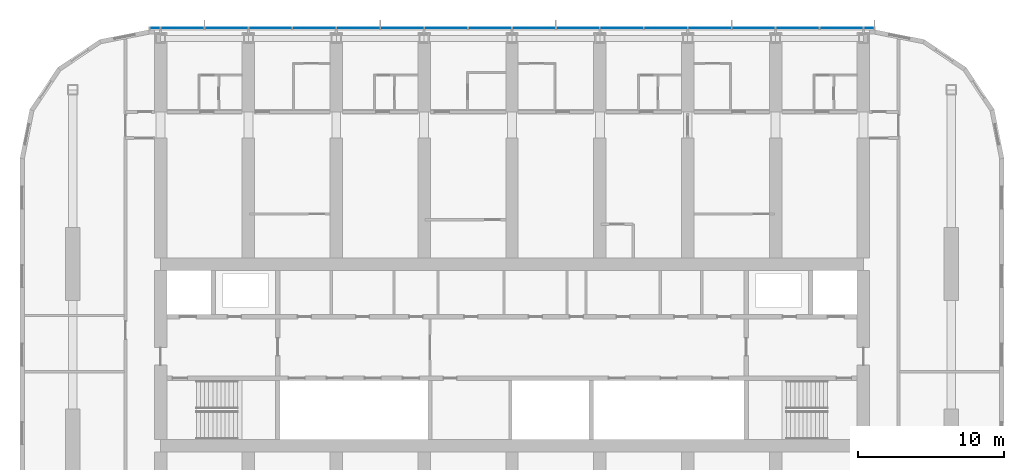
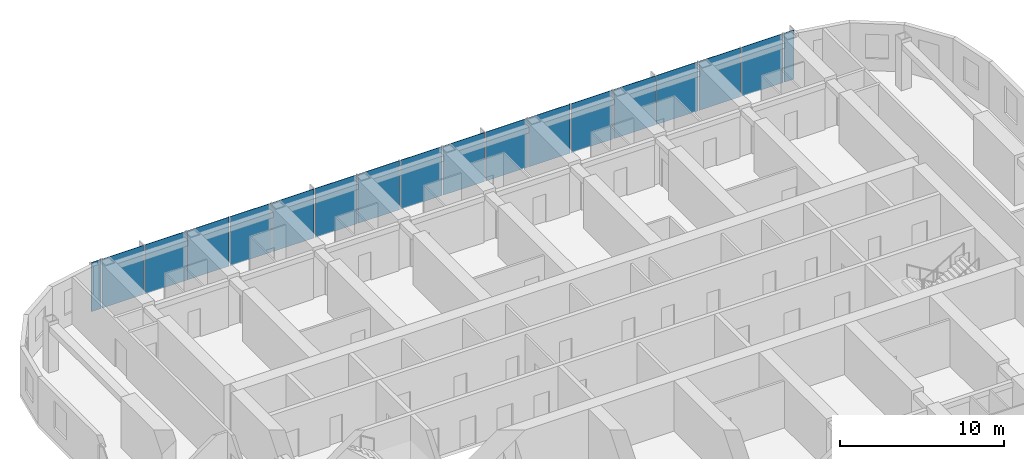
# One storey, part 9 of 22: 18 plates, 1 element without a shape of its own.
"""IFC4 building model written with IfcOpenShell, lengths in metres."""

from ifc_helpers import new_model, si_unit, direction, frame, origin, origin_2d, place, context, subcontext, project, spatial, rectangle, extrude, material, layer, layer_set, type_object, element, aggregate, save


model = new_model("IFC4")

# Units and contexts
model_context = context("Model", 3, precision=1e-05, world=origin(), true_north=direction((0.0, 1.0)))
body_context = subcontext(model_context, "Body", "Model", "MODEL_VIEW")
ifc_project = project(units=[si_unit("LENGTHUNIT", "METRE"), si_unit("AREAUNIT", "SQUARE_METRE"), si_unit("VOLUMEUNIT", "CUBIC_METRE"), si_unit("PLANEANGLEUNIT", "RADIAN"), si_unit("MASSUNIT", "GRAM", prefix="KILO")], contexts=[model_context])

# Site, building, storey
site_placement = place(None, origin())
site = spatial("IfcSite", under=ifc_project, at=site_placement, CompositionType="ELEMENT")
building_placement = place(site_placement, origin())
building = spatial("IfcBuilding", under=site, at=building_placement, Name="Orbita Commons", CompositionType="ELEMENT")
storey_placement = place(building_placement, frame((0.0, 0.0, 186.10009765625)))
storey = spatial("IfcBuildingStorey", under=building, at=storey_placement, Name="L46", CompositionType="ELEMENT", Elevation=186.10009765625)

# Curtain wall, plates
ifc_material_1 = material(Name="Anodised aluminium frame, pale silver", Category="aluminium")
curtain_wall_type = type_object("IfcCurtainWallType", Name="Unitised curtain wall CW-U, full-height vision", PredefinedType="NOTDEFINED", material=ifc_material_1)
curtain_wall_placement = place(storey_placement, origin())
curtain_wall = element("IfcCurtainWall", 1, at=curtain_wall_placement, inside=storey, type_object=curtain_wall_type, Name="Curtain wall north L46", PredefinedType="NOTDEFINED")
ifc_material_2 = material(Name="Clear double glazing", Category="glass")
ifc_layer = layer(ifc_material_2, 0.031982421875)
ifc_layer_set = layer_set([ifc_layer], Name="Clear double glazing")
plate_type = type_object("IfcPlateType", Name="Full-height vision panel, clear glazing 32", PredefinedType="CURTAIN_PANEL", material=ifc_layer_set)
plate_1_placement = place(storey_placement, frame((66.3798828125, 54.31005859375, -0.150146484375), z_axis=(0.0, 0.0, 1.0), x_axis=(-1.0, 0.0, 0.0)))
plate_1 = element("IfcPlate", 2, at=plate_1_placement, type_object=plate_type, Name="Panel 1.1 CW-L46-N", PredefinedType="CURTAIN_PANEL", context=body_context, shape_type="SweptSolid", body=[
    extrude(rectangle(XDim=0.679931640625, YDim=0.031982421875, at=origin_2d()), origin(), (0.0, 0.0, 1.0), 3.64990234375),
])
plate_2_placement = place(storey_placement, frame((64.5, 54.31005859375, -0.150146484375), z_axis=(0.0, 0.0, 1.0), x_axis=(-1.0, 0.0, 0.0)))
plate_2 = element("IfcPlate", 3, at=plate_2_placement, type_object=plate_type, Name="Panel 2.1 CW-L46-N", PredefinedType="CURTAIN_PANEL", context=body_context, shape_type="SweptSolid", body=[
    extrude(rectangle(XDim=2.919921875, YDim=0.031982421875, at=origin_2d()), origin(), (0.0, 0.0, 1.0), 3.64990234375),
])
plate_3_placement = place(storey_placement, frame((61.5, 54.31005859375, -0.150146484375), z_axis=(0.0, 0.0, 1.0), x_axis=(-1.0, 0.0, 0.0)))
plate_3 = element("IfcPlate", 4, at=plate_3_placement, type_object=plate_type, Name="Panel 3.1 CW-L46-N", PredefinedType="CURTAIN_PANEL", context=body_context, shape_type="SweptSolid", body=[
    extrude(rectangle(XDim=2.919921875, YDim=0.031982421875, at=origin_2d()), origin(), (0.0, 0.0, 1.0), 3.64990234375),
])
plate_4_placement = place(storey_placement, frame((58.5, 54.31005859375, -0.150146484375), z_axis=(0.0, 0.0, 1.0), x_axis=(-1.0, 0.0, 0.0)))
plate_4 = element("IfcPlate", 5, at=plate_4_placement, type_object=plate_type, Name="Panel 4.1 CW-L46-N", PredefinedType="CURTAIN_PANEL", context=body_context, shape_type="SweptSolid", body=[
    extrude(rectangle(XDim=2.919921875, YDim=0.031982421875, at=origin_2d()), origin(), (0.0, 0.0, 1.0), 3.64990234375),
])
plate_5_placement = place(storey_placement, frame((55.5, 54.31005859375, -0.150146484375), z_axis=(0.0, 0.0, 1.0), x_axis=(-1.0, 0.0, 0.0)))
plate_5 = element("IfcPlate", 6, at=plate_5_placement, type_object=plate_type, Name="Panel 5.1 CW-L46-N", PredefinedType="CURTAIN_PANEL", context=body_context, shape_type="SweptSolid", body=[
    extrude(rectangle(XDim=2.919921875, YDim=0.031982421875, at=origin_2d()), origin(), (0.0, 0.0, 1.0), 3.64990234375),
])
plate_6_placement = place(storey_placement, frame((52.5, 54.31005859375, -0.150146484375), z_axis=(0.0, 0.0, 1.0), x_axis=(-1.0, 0.0, 0.0)))
plate_6 = element("IfcPlate", 7, at=plate_6_placement, type_object=plate_type, Name="Panel 6.1 CW-L46-N", PredefinedType="CURTAIN_PANEL", context=body_context, shape_type="SweptSolid", body=[
    extrude(rectangle(XDim=2.919921875, YDim=0.031982421875, at=origin_2d()), origin(), (0.0, 0.0, 1.0), 3.64990234375),
])
plate_7_placement = place(storey_placement, frame((49.5, 54.31005859375, -0.150146484375), z_axis=(0.0, 0.0, 1.0), x_axis=(-1.0, 0.0, 0.0)))
plate_7 = element("IfcPlate", 8, at=plate_7_placement, type_object=plate_type, Name="Panel 7.1 CW-L46-N", PredefinedType="CURTAIN_PANEL", context=body_context, shape_type="SweptSolid", body=[
    extrude(rectangle(XDim=2.919921875, YDim=0.031982421875, at=origin_2d()), origin(), (0.0, 0.0, 1.0), 3.64990234375),
])
plate_8_placement = place(storey_placement, frame((46.5, 54.31005859375, -0.150146484375), z_axis=(0.0, 0.0, 1.0), x_axis=(-1.0, 0.0, 0.0)))
plate_8 = element("IfcPlate", 9, at=plate_8_placement, type_object=plate_type, Name="Panel 8.1 CW-L46-N", PredefinedType="CURTAIN_PANEL", context=body_context, shape_type="SweptSolid", body=[
    extrude(rectangle(XDim=2.919921875, YDim=0.031982421875, at=origin_2d()), origin(), (0.0, 0.0, 1.0), 3.64990234375),
])
plate_9_placement = place(storey_placement, frame((43.5, 54.31005859375, -0.150146484375), z_axis=(0.0, 0.0, 1.0), x_axis=(-1.0, 0.0, 0.0)))
plate_9 = element("IfcPlate", 10, at=plate_9_placement, type_object=plate_type, Name="Panel 9.1 CW-L46-N", PredefinedType="CURTAIN_PANEL", context=body_context, shape_type="SweptSolid", body=[
    extrude(rectangle(XDim=2.919921875, YDim=0.031982421875, at=origin_2d()), origin(), (0.0, 0.0, 1.0), 3.64990234375),
])
plate_10_placement = place(storey_placement, frame((40.5, 54.31005859375, -0.150146484375), z_axis=(0.0, 0.0, 1.0), x_axis=(-1.0, 0.0, 0.0)))
plate_10 = element("IfcPlate", 11, at=plate_10_placement, type_object=plate_type, Name="Panel 10.1 CW-L46-N", PredefinedType="CURTAIN_PANEL", context=body_context, shape_type="SweptSolid", body=[
    extrude(rectangle(XDim=2.919921875, YDim=0.031982421875, at=origin_2d()), origin(), (0.0, 0.0, 1.0), 3.64990234375),
])
plate_11_placement = place(storey_placement, frame((37.5, 54.31005859375, -0.150146484375), z_axis=(0.0, 0.0, 1.0), x_axis=(-1.0, 0.0, 0.0)))
plate_11 = element("IfcPlate", 12, at=plate_11_placement, type_object=plate_type, Name="Panel 11.1 CW-L46-N", PredefinedType="CURTAIN_PANEL", context=body_context, shape_type="SweptSolid", body=[
    extrude(rectangle(XDim=2.919921875, YDim=0.031982421875, at=origin_2d()), origin(), (0.0, 0.0, 1.0), 3.64990234375),
])
plate_12_placement = place(storey_placement, frame((34.5, 54.31005859375, -0.150146484375), z_axis=(0.0, 0.0, 1.0), x_axis=(-1.0, 0.0, 0.0)))
plate_12 = element("IfcPlate", 13, at=plate_12_placement, type_object=plate_type, Name="Panel 12.1 CW-L46-N", PredefinedType="CURTAIN_PANEL", context=body_context, shape_type="SweptSolid", body=[
    extrude(rectangle(XDim=2.919921875, YDim=0.031982421875, at=origin_2d()), origin(), (0.0, 0.0, 1.0), 3.64990234375),
])
plate_13_placement = place(storey_placement, frame((31.5, 54.31005859375, -0.150146484375), z_axis=(0.0, 0.0, 1.0), x_axis=(-1.0, 0.0, 0.0)))
plate_13 = element("IfcPlate", 14, at=plate_13_placement, type_object=plate_type, Name="Panel 13.1 CW-L46-N", PredefinedType="CURTAIN_PANEL", context=body_context, shape_type="SweptSolid", body=[
    extrude(rectangle(XDim=2.919921875, YDim=0.031982421875, at=origin_2d()), origin(), (0.0, 0.0, 1.0), 3.64990234375),
])
plate_14_placement = place(storey_placement, frame((28.5, 54.31005859375, -0.150146484375), z_axis=(0.0, 0.0, 1.0), x_axis=(-1.0, 0.0, 0.0)))
plate_14 = element("IfcPlate", 15, at=plate_14_placement, type_object=plate_type, Name="Panel 14.1 CW-L46-N", PredefinedType="CURTAIN_PANEL", context=body_context, shape_type="SweptSolid", body=[
    extrude(rectangle(XDim=2.919921875, YDim=0.031982421875, at=origin_2d()), origin(), (0.0, 0.0, 1.0), 3.64990234375),
])
plate_15_placement = place(storey_placement, frame((25.5, 54.31005859375, -0.150146484375), z_axis=(0.0, 0.0, 1.0), x_axis=(-1.0, 0.0, 0.0)))
plate_15 = element("IfcPlate", 16, at=plate_15_placement, type_object=plate_type, Name="Panel 15.1 CW-L46-N", PredefinedType="CURTAIN_PANEL", context=body_context, shape_type="SweptSolid", body=[
    extrude(rectangle(XDim=2.919921875, YDim=0.031982421875, at=origin_2d()), origin(), (0.0, 0.0, 1.0), 3.64990234375),
])
plate_16_placement = place(storey_placement, frame((22.5, 54.31005859375, -0.150146484375), z_axis=(0.0, 0.0, 1.0), x_axis=(-1.0, 0.0, 0.0)))
plate_16 = element("IfcPlate", 17, at=plate_16_placement, type_object=plate_type, Name="Panel 16.1 CW-L46-N", PredefinedType="CURTAIN_PANEL", context=body_context, shape_type="SweptSolid", body=[
    extrude(rectangle(XDim=2.919921875, YDim=0.031982421875, at=origin_2d()), origin(), (0.0, 0.0, 1.0), 3.64990234375),
])
plate_17_placement = place(storey_placement, frame((19.5, 54.31005859375, -0.150146484375), z_axis=(0.0, 0.0, 1.0), x_axis=(-1.0, 0.0, 0.0)))
plate_17 = element("IfcPlate", 18, at=plate_17_placement, type_object=plate_type, Name="Panel 17.1 CW-L46-N", PredefinedType="CURTAIN_PANEL", context=body_context, shape_type="SweptSolid", body=[
    extrude(rectangle(XDim=2.919921875, YDim=0.031982421875, at=origin_2d()), origin(), (0.0, 0.0, 1.0), 3.64990234375),
])
plate_18_placement = place(storey_placement, frame((17.6201171875, 54.31005859375, -0.150146484375), z_axis=(0.0, 0.0, 1.0), x_axis=(-1.0, 0.0, 0.0)))
plate_18 = element("IfcPlate", 19, at=plate_18_placement, type_object=plate_type, Name="Panel 18.1 CW-L46-N", PredefinedType="CURTAIN_PANEL", context=body_context, shape_type="SweptSolid", body=[
    extrude(rectangle(XDim=0.679931640625, YDim=0.031982421875, at=origin_2d()), origin(), (0.0, 0.0, 1.0), 3.64990234375),
])
aggregate(curtain_wall, [plate_1, plate_2, plate_3, plate_4, plate_5, plate_6, plate_7, plate_8, plate_9, plate_10, plate_11, plate_12, plate_13, plate_14, plate_15, plate_16, plate_17, plate_18])

save(model, "model.ifc")
